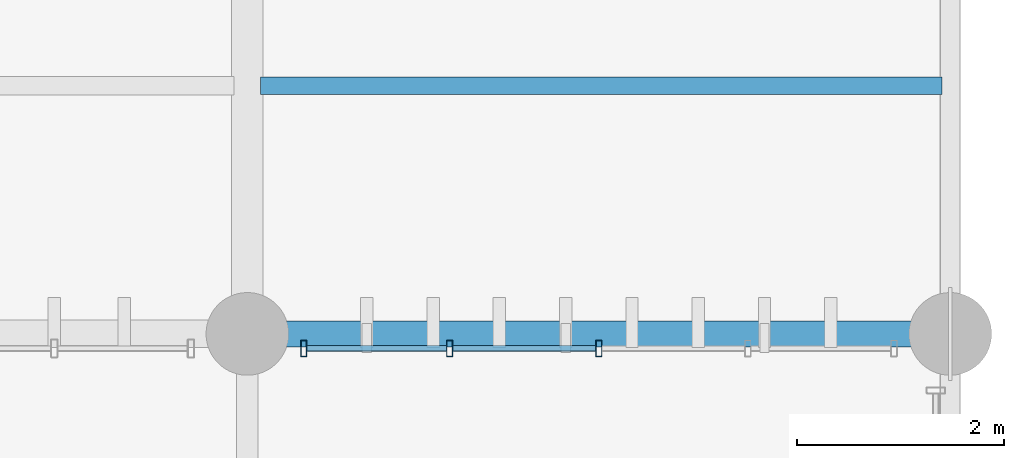
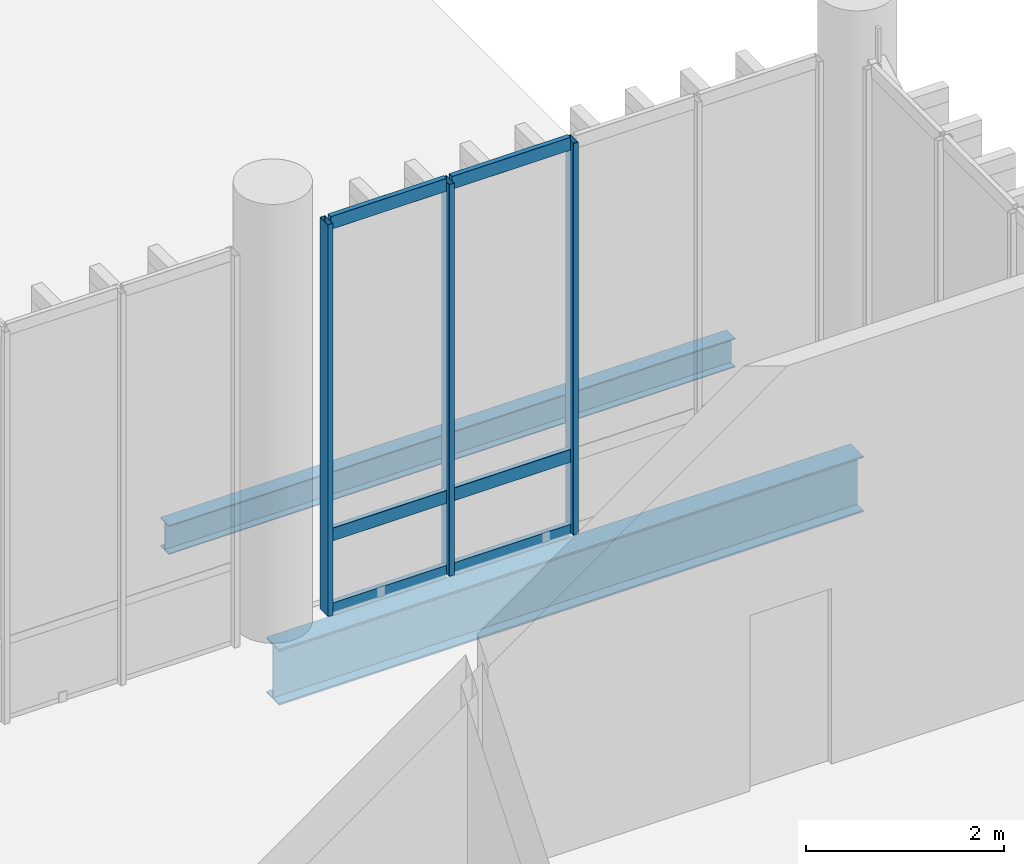
# One storey, part 89 of 128: 9 members, 2 beams, 1 element without a shape of its own.
"""IFC4 building model written with IfcOpenShell, lengths in metres."""

from ifc_helpers import new_model, si_unit, direction, frame, origin_with_axes, origin_2d_with_axis, place, context, subcontext, project, spatial, hollow_rectangle, i_section, extrude, material, material_profile, profile_set, type_object, element, aggregate, save


model = new_model("IFC4")

# Units and contexts
model_context = context("Model", 3, precision=1e-05, world=origin_with_axes(), true_north=direction((0.0, 1.0)))
body_context = subcontext(model_context, "Body", "Model", "MODEL_VIEW")
ifc_project = project(units=[si_unit("LENGTHUNIT", "METRE"), si_unit("AREAUNIT", "SQUARE_METRE"), si_unit("VOLUMEUNIT", "CUBIC_METRE"), si_unit("PLANEANGLEUNIT", "RADIAN"), si_unit("MASSUNIT", "GRAM", prefix="KILO"), si_unit("THERMODYNAMICTEMPERATUREUNIT", "KELVIN")], contexts=[model_context])

# Site, building, storey
site_placement = place(None, origin_with_axes())
site = spatial("IfcSite", under=ifc_project, at=site_placement, CompositionType="ELEMENT")
building_placement = place(site_placement, origin_with_axes())
building = spatial("IfcBuilding", under=site, at=building_placement, Name="Montbau Bow Law Courts", CompositionType="ELEMENT")
storey_placement = place(building_placement, frame((0.0, 0.0, 5.4), z_axis=(0.0, 0.0, 1.0), x_axis=(1.0, 0.0, 0.0)))
storey = spatial("IfcBuildingStorey", under=building, at=storey_placement, Name="L01", CompositionType="ELEMENT", Elevation=5.4)

# Beams
ifc_material_1 = material(Name="Steel CSA G40.21 Grade 350W (350 MPa)", Category="steel")
ifc_material_profile_1 = material_profile(ifc_material_1, i_section(OverallWidth=0.254, OverallDepth=0.688, WebThickness=0.0131, FlangeThickness=0.0211, at=origin_2d_with_axis()), Name="W690X152", Category="Main", Priority=0)
ifc_profile_set_1 = profile_set([ifc_material_profile_1], Name="Steel CSA G40.21 Grade 350W (350 MPa)")
beam_type_1 = type_object("IfcBeamType", Name="B-FLR-04", PredefinedType="BEAM", material=ifc_profile_set_1)
beam_1_placement = place(None, frame((162.6, 103.2, 4.776), z_axis=(1.0, 0.0, 0.0), x_axis=(0.0, 1.0, 0.0)))
element("IfcBeam", 1, at=beam_1_placement, inside=storey, type_object=beam_type_1, Name="BM-L01-S1121:bm2_1124", PredefinedType="BEAM", context=body_context, shape_type="SweptSolid", body=[
    extrude(i_section(OverallWidth=0.254, OverallDepth=0.688, WebThickness=0.0131, FlangeThickness=0.0211, at=origin_2d_with_axis()), origin_with_axes(), (0.0, 0.0, 1.0), 6.8),
])
ifc_material_profile_2 = material_profile(ifc_material_1, i_section(OverallWidth=0.172, OverallDepth=0.358, WebThickness=0.0079, FlangeThickness=0.0131, at=origin_2d_with_axis()), Name="W360X57", Category="Main", Priority=0)
ifc_profile_set_2 = profile_set([ifc_material_profile_2], Name="Steel CSA G40.21 Grade 350W (350 MPa)")
beam_type_2 = type_object("IfcBeamType", Name="B-JST-03", PredefinedType="JOIST", material=ifc_profile_set_2)
beam_2_placement = place(None, frame((162.729, 105.6, 4.941), z_axis=(1.0, 0.0, 0.0), x_axis=(0.0, 1.0, 0.0)))
element("IfcBeam", 2, at=beam_2_placement, inside=storey, type_object=beam_type_2, Name="JST-L01-S0606:jst2_0606", PredefinedType="JOIST", context=body_context, shape_type="SweptSolid", body=[
    extrude(i_section(OverallWidth=0.172, OverallDepth=0.358, WebThickness=0.0079, FlangeThickness=0.0131, at=origin_2d_with_axis()), origin_with_axes(), (0.0, 0.0, 1.0), 6.591),
])

# Curtain wall, members
ifc_material_2 = material(Name="Thermally Broken Extruded Aluminium AA 6063-T6", Category="aluminium")
curtain_wall_type = type_object("IfcCurtainWallType", Name="CW-SLT-01", PredefinedType="NOTDEFINED", material=ifc_material_2)
curtain_wall_placement = place(None, frame((163.115, 103.06, 5.4), z_axis=(0.0, 0.0, 1.0), x_axis=(1.0, 0.0, 0.0)))
curtain_wall = element("IfcCurtainWall", 3, at=curtain_wall_placement, inside=storey, type_object=curtain_wall_type, Name="CW-L01-284:cw_0284", PredefinedType="NOTDEFINED")
ifc_material_profile_3 = material_profile(ifc_material_2, hollow_rectangle(XDim=0.06, YDim=0.16, WallThickness=0.004, InnerFilletRadius=0.008, OuterFilletRadius=0.004, at=origin_2d_with_axis()), Name="CWM-160X60", Category="Main", Priority=0)
ifc_profile_set_3 = profile_set([ifc_material_profile_3], Name="Thermally Broken Extruded Aluminium AA 6063-T6")
member_type_1 = type_object("IfcMemberType", Name="M-MUL-03", PredefinedType="MULLION", material=ifc_profile_set_3)
member_1_placement = place(None, frame((163.145, 103.06, 5.4), z_axis=(0.0, 0.0, 1.0), x_axis=(1.0, 0.0, 0.0)))
member_1 = element("IfcMember", 4, at=member_1_placement, type_object=member_type_1, Name="CW-L01-284-M01:cw_0284_M01", PredefinedType="MULLION", context=body_context, shape_type="SweptSolid", body=[
    extrude(hollow_rectangle(XDim=0.06, YDim=0.16, WallThickness=0.004, InnerFilletRadius=0.008, OuterFilletRadius=0.004, at=origin_2d_with_axis()), origin_with_axes(), (0.0, 0.0, 1.0), 4.82),
])
member_2_placement = place(None, frame((164.557, 103.06, 5.4), z_axis=(0.0, 0.0, 1.0), x_axis=(1.0, 0.0, 0.0)))
member_2 = element("IfcMember", 5, at=member_2_placement, type_object=member_type_1, Name="CW-L01-284-M02:cw_0284_M02", PredefinedType="MULLION", context=body_context, shape_type="SweptSolid", body=[
    extrude(hollow_rectangle(XDim=0.06, YDim=0.16, WallThickness=0.004, InnerFilletRadius=0.008, OuterFilletRadius=0.004, at=origin_2d_with_axis()), origin_with_axes(), (0.0, 0.0, 1.0), 4.82),
])
member_3_placement = place(None, frame((166.0, 103.06, 5.4), z_axis=(0.0, 0.0, 1.0), x_axis=(1.0, 0.0, 0.0)))
member_3 = element("IfcMember", 6, at=member_3_placement, type_object=member_type_1, Name="CW-L01-284-M03:cw_0284_M03", PredefinedType="MULLION", context=body_context, shape_type="SweptSolid", body=[
    extrude(hollow_rectangle(XDim=0.06, YDim=0.16, WallThickness=0.004, InnerFilletRadius=0.008, OuterFilletRadius=0.004, at=origin_2d_with_axis()), origin_with_axes(), (0.0, 0.0, 1.0), 4.82),
])
ifc_material_profile_4 = material_profile(ifc_material_2, hollow_rectangle(XDim=0.06, YDim=0.16, WallThickness=0.004, InnerFilletRadius=0.008, OuterFilletRadius=0.004, at=origin_2d_with_axis()), Name="CWT-160X60", Category="Main", Priority=0)
ifc_profile_set_4 = profile_set([ifc_material_profile_4], Name="Thermally Broken Extruded Aluminium AA 6063-T6")
member_type_2 = type_object("IfcMemberType", Name="M-TRN-01", PredefinedType="USERDEFINED", material=ifc_profile_set_4)
member_4_placement = place(None, frame((163.177, 103.06, 5.43), z_axis=(1.0, 0.0, 0.0), x_axis=(0.0, 1.0, 0.0)))
member_4 = element("IfcMember", 7, at=member_4_placement, type_object=member_type_2, Name="CW-L01-284-T01-1:cw_0284_T01_1", ObjectType="TRANSOM", PredefinedType="USERDEFINED", context=body_context, shape_type="SweptSolid", body=[
    extrude(hollow_rectangle(XDim=0.06, YDim=0.16, WallThickness=0.004, InnerFilletRadius=0.008, OuterFilletRadius=0.004, at=origin_2d_with_axis()), origin_with_axes(), (0.0, 0.0, 1.0), 1.348),
])
member_5_placement = place(None, frame((163.177, 103.06, 6.35), z_axis=(1.0, 0.0, 0.0), x_axis=(0.0, 1.0, 0.0)))
member_5 = element("IfcMember", 8, at=member_5_placement, type_object=member_type_2, Name="CW-L01-284-T01-2:cw_0284_T01_2", ObjectType="TRANSOM", PredefinedType="USERDEFINED", context=body_context, shape_type="SweptSolid", body=[
    extrude(hollow_rectangle(XDim=0.06, YDim=0.16, WallThickness=0.004, InnerFilletRadius=0.008, OuterFilletRadius=0.004, at=origin_2d_with_axis()), origin_with_axes(), (0.0, 0.0, 1.0), 1.348),
])
member_6_placement = place(None, frame((163.177, 103.06, 10.19), z_axis=(1.0, 0.0, 0.0), x_axis=(0.0, 1.0, 0.0)))
member_6 = element("IfcMember", 9, at=member_6_placement, type_object=member_type_2, Name="CW-L01-284-T01-3:cw_0284_T01_3", ObjectType="TRANSOM", PredefinedType="USERDEFINED", context=body_context, shape_type="SweptSolid", body=[
    extrude(hollow_rectangle(XDim=0.06, YDim=0.16, WallThickness=0.004, InnerFilletRadius=0.008, OuterFilletRadius=0.004, at=origin_2d_with_axis()), origin_with_axes(), (0.0, 0.0, 1.0), 1.348),
])
member_7_placement = place(None, frame((164.589, 103.06, 5.43), z_axis=(1.0, 0.0, 0.0), x_axis=(0.0, 1.0, 0.0)))
member_7 = element("IfcMember", 10, at=member_7_placement, type_object=member_type_2, Name="CW-L01-284-T02-1:cw_0284_T02_1", ObjectType="TRANSOM", PredefinedType="USERDEFINED", context=body_context, shape_type="SweptSolid", body=[
    extrude(hollow_rectangle(XDim=0.06, YDim=0.16, WallThickness=0.004, InnerFilletRadius=0.008, OuterFilletRadius=0.004, at=origin_2d_with_axis()), origin_with_axes(), (0.0, 0.0, 1.0), 1.379),
])
member_8_placement = place(None, frame((164.589, 103.06, 6.35), z_axis=(1.0, 0.0, 0.0), x_axis=(0.0, 1.0, 0.0)))
member_8 = element("IfcMember", 11, at=member_8_placement, type_object=member_type_2, Name="CW-L01-284-T02-2:cw_0284_T02_2", ObjectType="TRANSOM", PredefinedType="USERDEFINED", context=body_context, shape_type="SweptSolid", body=[
    extrude(hollow_rectangle(XDim=0.06, YDim=0.16, WallThickness=0.004, InnerFilletRadius=0.008, OuterFilletRadius=0.004, at=origin_2d_with_axis()), origin_with_axes(), (0.0, 0.0, 1.0), 1.379),
])
member_9_placement = place(None, frame((164.589, 103.06, 10.19), z_axis=(1.0, 0.0, 0.0), x_axis=(0.0, 1.0, 0.0)))
member_9 = element("IfcMember", 12, at=member_9_placement, type_object=member_type_2, Name="CW-L01-284-T02-3:cw_0284_T02_3", ObjectType="TRANSOM", PredefinedType="USERDEFINED", context=body_context, shape_type="SweptSolid", body=[
    extrude(hollow_rectangle(XDim=0.06, YDim=0.16, WallThickness=0.004, InnerFilletRadius=0.008, OuterFilletRadius=0.004, at=origin_2d_with_axis()), origin_with_axes(), (0.0, 0.0, 1.0), 1.379),
])
aggregate(curtain_wall, [member_1, member_2, member_3, member_4, member_5, member_6, member_7, member_8, member_9])

save(model, "model.ifc")
